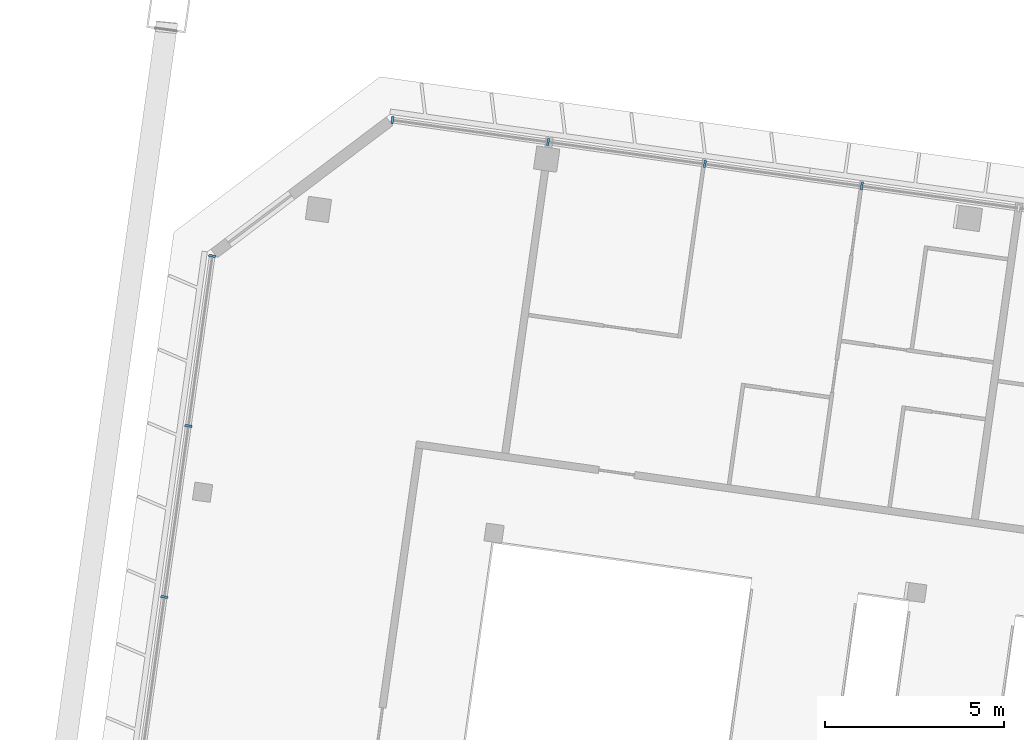
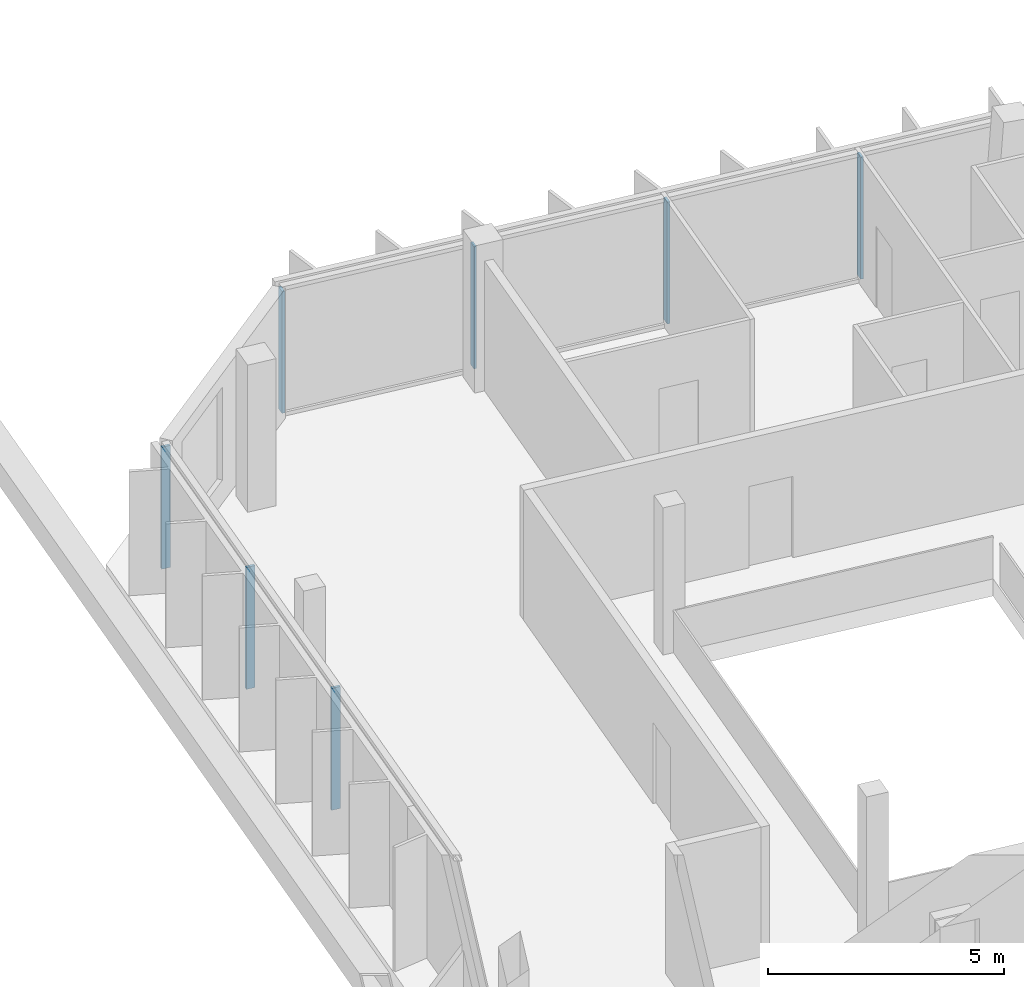
# One storey, part 6 of 26: 7 members, 2 elements without a shape of their own.
"""IFC4 building model written with IfcOpenShell, lengths in metres."""

from ifc_helpers import new_model, si_unit, direction, frame, origin, origin_2d, place, context, subcontext, project, spatial, rectangle, extrude, material, material_profile, profile_set, type_object, element, aggregate, save


model = new_model("IFC4")

# Units and contexts
model_context = context("Model", 3, precision=1e-05, world=origin(), true_north=direction((0.0, 1.0)))
body_context = subcontext(model_context, "Body", "Model", "MODEL_VIEW")
ifc_project = project(units=[si_unit("LENGTHUNIT", "METRE"), si_unit("AREAUNIT", "SQUARE_METRE"), si_unit("VOLUMEUNIT", "CUBIC_METRE"), si_unit("PLANEANGLEUNIT", "RADIAN"), si_unit("MASSUNIT", "GRAM", prefix="KILO")], contexts=[model_context])

# Site, building, storey
site_placement = place(None, origin())
site = spatial("IfcSite", under=ifc_project, at=site_placement, CompositionType="ELEMENT")
building_placement = place(site_placement, origin())
building = spatial("IfcBuilding", under=site, at=building_placement, Name="Mirante Cascada Hotel Towers", CompositionType="ELEMENT")
storey_placement = place(building_placement, frame((0.0, 0.0, 235.6)))
storey = spatial("IfcBuildingStorey", under=building, at=storey_placement, Name="L56", CompositionType="ELEMENT", Elevation=235.6)

# Curtain wall, members
ifc_material_1 = material(Name="Aluminium mullion and transom frame with clear laminated glass", Category="aluminium")
curtain_wall_type_1 = type_object("IfcCurtainWallType", Name="Ribbon curtain wall ECW1", PredefinedType="NOTDEFINED", material=ifc_material_1)
curtain_wall_1_placement = place(storey_placement, origin())
curtain_wall_1 = element("IfcCurtainWall", 1, at=curtain_wall_1_placement, inside=storey, type_object=curtain_wall_type_1, Name="Front ribbon wall T1 L56", PredefinedType="NOTDEFINED")
ifc_material_2 = material(Name="Anodised aluminium extrusion", Category="aluminium")
ifc_material_profile_1 = material_profile(ifc_material_2, rectangle(XDim=0.2, YDim=0.065, at=origin_2d()), Name="ECW1 MULLION 65x200")
ifc_profile_set_1 = profile_set([ifc_material_profile_1], Name="Anodised aluminium extrusion")
member_type_1 = type_object("IfcMemberType", Name="ECW1 mullion 65x200", PredefinedType="MULLION", material=ifc_profile_set_1)
member_1_placement = place(storey_placement, frame((-58.4763, 21.0373, 0.1), z_axis=(0.0, 0.0, 1.0), x_axis=(0.1391731, 0.9902681, 0.0)))
member_1 = element("IfcMember", 2, at=member_1_placement, type_object=member_type_1, Name="ECW1 mullion 1", PredefinedType="MULLION", context=body_context, shape_type="SweptSolid", body=[
    extrude(rectangle(XDim=0.2, YDim=0.065, at=origin_2d()), origin(), (0.0, 0.0, 1.0), 3.15),
])
member_2_placement = place(storey_placement, frame((-54.1397, 20.4279, 0.1), z_axis=(0.0, 0.0, 1.0), x_axis=(0.1391731, 0.9902681, 0.0)))
member_2 = element("IfcMember", 3, at=member_2_placement, type_object=member_type_1, Name="ECW1 mullion 2", PredefinedType="MULLION", context=body_context, shape_type="SweptSolid", body=[
    extrude(rectangle(XDim=0.2, YDim=0.065, at=origin_2d()), origin(), (0.0, 0.0, 1.0), 3.15),
])
member_3_placement = place(storey_placement, frame((-49.7708, 19.8139, 0.1), z_axis=(0.0, 0.0, 1.0), x_axis=(0.1391731, 0.9902681, 0.0)))
member_3 = element("IfcMember", 4, at=member_3_placement, type_object=member_type_1, Name="ECW1 mullion 3", PredefinedType="MULLION", context=body_context, shape_type="SweptSolid", body=[
    extrude(rectangle(XDim=0.2, YDim=0.065, at=origin_2d()), origin(), (0.0, 0.0, 1.0), 3.15),
])
member_4_placement = place(storey_placement, frame((-45.402, 19.1999, 0.1), z_axis=(0.0, 0.0, 1.0), x_axis=(0.1391731, 0.9902681, 0.0)))
member_4 = element("IfcMember", 5, at=member_4_placement, type_object=member_type_1, Name="ECW1 mullion 4", PredefinedType="MULLION", context=body_context, shape_type="SweptSolid", body=[
    extrude(rectangle(XDim=0.2, YDim=0.065, at=origin_2d()), origin(), (0.0, 0.0, 1.0), 3.15),
])
aggregate(curtain_wall_1, [member_1, member_2, member_3, member_4])

ifc_material_3 = material(Name="Aluminium mullion and transom frame with clear laminated glass", Category="aluminium")
curtain_wall_type_2 = type_object("IfcCurtainWallType", Name="End ribbon curtain wall ECW2", PredefinedType="NOTDEFINED", material=ifc_material_3)
curtain_wall_2_placement = place(storey_placement, origin())
curtain_wall_2 = element("IfcCurtainWall", 6, at=curtain_wall_2_placement, inside=storey, type_object=curtain_wall_type_2, Name="Outer end wall T1 L56", PredefinedType="NOTDEFINED")
ifc_material_4 = material(Name="Anodised aluminium extrusion", Category="aluminium")
ifc_material_profile_2 = material_profile(ifc_material_4, rectangle(XDim=0.2, YDim=0.065, at=origin_2d()), Name="ECW2 MULLION 65x200")
ifc_profile_set_2 = profile_set([ifc_material_profile_2], Name="Anodised aluminium extrusion")
member_type_2 = type_object("IfcMemberType", Name="ECW2 mullion 65x200", PredefinedType="MULLION", material=ifc_profile_set_2)
member_5_placement = place(storey_placement, frame((-64.8313, 7.7551, 0.1), z_axis=(0.0, 0.0, 1.0), x_axis=(-0.9902681, 0.1391731, 0.0)))
member_5 = element("IfcMember", 7, at=member_5_placement, type_object=member_type_2, Name="ECW2 mullion 5", PredefinedType="MULLION", context=body_context, shape_type="SweptSolid", body=[
    extrude(rectangle(XDim=0.2, YDim=0.065, at=origin_2d()), origin(), (0.0, 0.0, 1.0), 3.15),
])
member_6_placement = place(storey_placement, frame((-64.1615, 12.5209, 0.1), z_axis=(0.0, 0.0, 1.0), x_axis=(-0.9902681, 0.1391731, 0.0)))
member_6 = element("IfcMember", 8, at=member_6_placement, type_object=member_type_2, Name="ECW2 mullion 6", PredefinedType="MULLION", context=body_context, shape_type="SweptSolid", body=[
    extrude(rectangle(XDim=0.2, YDim=0.065, at=origin_2d()), origin(), (0.0, 0.0, 1.0), 3.15),
])
member_7_placement = place(storey_placement, frame((-63.4963, 17.2545, 0.1), z_axis=(0.0, 0.0, 1.0), x_axis=(-0.9902681, 0.1391731, 0.0)))
member_7 = element("IfcMember", 9, at=member_7_placement, type_object=member_type_2, Name="ECW2 mullion 7", PredefinedType="MULLION", context=body_context, shape_type="SweptSolid", body=[
    extrude(rectangle(XDim=0.2, YDim=0.065, at=origin_2d()), origin(), (0.0, 0.0, 1.0), 3.15),
])
aggregate(curtain_wall_2, [member_5, member_6, member_7])

save(model, "model.ifc")
